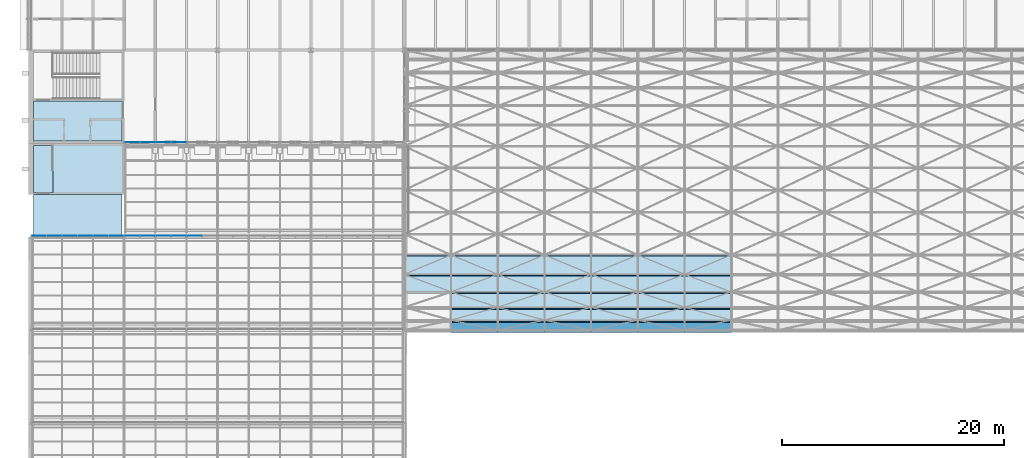
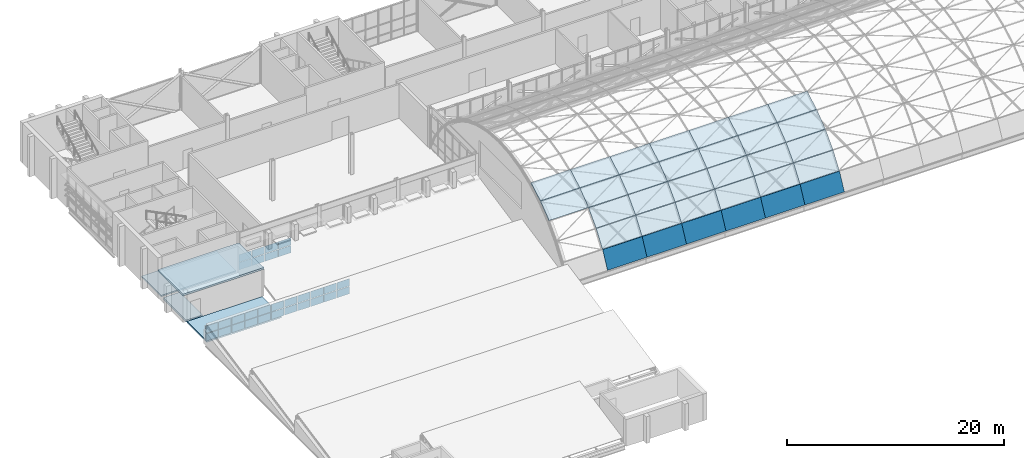
# One storey, part 70 of 121: 62 plates, 4 slabs, 2 elements without a shape of their own.
"""IFC4 building model written with IfcOpenShell, lengths in metres."""

from ifc_helpers import new_model, si_unit, direction, frame, origin, origin_2d, place, context, subcontext, project, spatial, polyline, rectangle, outline, extrude, material, layer, layer_set, type_object, element, aggregate, save


model = new_model("IFC4")

# Units and contexts
model_context = context("Model", 3, precision=1e-05, world=origin(), true_north=direction((0.0, 1.0)))
body_context = subcontext(model_context, "Body", "Model", "MODEL_VIEW")
ifc_project = project(units=[si_unit("LENGTHUNIT", "METRE"), si_unit("AREAUNIT", "SQUARE_METRE"), si_unit("VOLUMEUNIT", "CUBIC_METRE"), si_unit("PLANEANGLEUNIT", "RADIAN"), si_unit("MASSUNIT", "GRAM", prefix="KILO")], contexts=[model_context])

# Site, building, storey
site_placement = place(None, origin())
site = spatial("IfcSite", under=ifc_project, at=site_placement, CompositionType="ELEMENT")
building_placement = place(site_placement, origin())
building = spatial("IfcBuilding", under=site, at=building_placement, Name="Ardhachandra Cancer Care Centre", CompositionType="ELEMENT")
storey_placement = place(building_placement, frame((0.0, 0.0, 9.0)))
storey = spatial("IfcBuildingStorey", under=building, at=storey_placement, Name="L02", CompositionType="ELEMENT", Elevation=9.0)

# Slabs
ifc_material_1 = material(Name="Concrete M40", Category="concrete")
ifc_layer_1 = layer(ifc_material_1, 0.14990234375)
ifc_layer_set_1 = layer_set([ifc_layer_1], Name="Concrete M40")
slab_type_1 = type_object("IfcSlabType", Name="Core floor slab 150", PredefinedType="FLOOR", material=ifc_layer_set_1)
slab_1_placement = place(storey_placement, frame((0.0, 0.0, -0.14990234375)))
element("IfcSlab", 1, at=slab_1_placement, inside=storey, type_object=slab_type_1, Name="Core floor slab K6 L02 2", PredefinedType="FLOOR", context=body_context, shape_type="SweptSolid", body=[
    extrude(outline(polyline([(11.02490234375, 71.60009765625), (19.0, 71.60009765625), (19.0, 75.199951171875), (11.02490234375, 75.199951171875), (11.02490234375, 71.60009765625)])), origin(), (0.0, 0.0, 1.0), 0.14990234375),
])
ifc_material_2 = material(Name="Concrete M40", Category="concrete")
ifc_layer_2 = layer(ifc_material_2, 0.199951171875)
ifc_layer_set_2 = layer_set([ifc_layer_2], Name="Concrete M40")
slab_type_2 = type_object("IfcSlabType", Name="Core head-house floor slab 200", PredefinedType="FLOOR", material=ifc_layer_set_2)
slab_2_placement = place(storey_placement, frame((0.0, 0.0, -0.199951171875)))
element("IfcSlab", 2, at=slab_2_placement, inside=storey, type_object=slab_type_2, Name="Stair head-house floor slab K3 1", PredefinedType="FLOOR", context=body_context, shape_type="SweptSolid", body=[
    extrude(outline(polyline([(11.02490234375, 67.0), (12.800048828125, 67.0), (12.800048828125, 71.199951171875), (11.02490234375, 71.199951171875), (11.02490234375, 67.0)])), origin(), (0.0, 0.0, 1.0), 0.199951171875),
])
ifc_material_3 = material(Name="Concrete M40", Category="concrete")
ifc_layer_3 = layer(ifc_material_3, 0.199951171875)
ifc_layer_set_3 = layer_set([ifc_layer_3], Name="Concrete M40")
slab_type_3 = type_object("IfcSlabType", Name="Core roof slab 200", PredefinedType="ROOF", material=ifc_layer_set_3)
slab_3_placement = place(storey_placement, frame((0.0, 0.0, -0.199951171875)))
element("IfcSlab", 3, at=slab_3_placement, inside=storey, type_object=slab_type_3, Name="Core roof slab K3 2", PredefinedType="ROOF", context=body_context, shape_type="SweptSolid", body=[
    extrude(outline(polyline([(19.0, 63.199951171875), (19.0, 66.800048828125), (11.02490234375, 66.800048828125), (11.02490234375, 63.199951171875), (19.0, 63.199951171875)])), origin(), (0.0, 0.0, 1.0), 0.199951171875),
])

# Curtain wall, plates
ifc_material_4 = material(Name="Aluminium extrusion", Category="aluminium")
ifc_layer_4 = layer(ifc_material_4, 0.14990234375)
ifc_layer_set_4 = layer_set([ifc_layer_4], Name="Aluminium extrusion")
curtain_wall_type = type_object("IfcCurtainWallType", Name="Curtain wall run", PredefinedType="NOTDEFINED", material=ifc_layer_set_4)
curtain_wall_1_placement = place(storey_placement, origin())
curtain_wall_1 = element("IfcCurtainWall", 4, at=curtain_wall_1_placement, inside=storey, type_object=curtain_wall_type, Name="Curtain wall L02 n/0010800_0063100", PredefinedType="NOTDEFINED")
ifc_material_5 = material(Name="Low-iron double-glazed unit")
ifc_layer_5 = layer(ifc_material_5, 0.028076171875)
ifc_layer_set_5 = layer_set([ifc_layer_5], Name="Low-iron double-glazed unit")
plate_type_1 = type_object("IfcPlateType", Name="Curtain wall glazing 28", PredefinedType="CURTAIN_PANEL", material=ifc_layer_set_5)
plate_1_placement = place(storey_placement, frame((11.514892578125, 63.10009765625, 0.93994140625), z_axis=(0.0, 0.0, 1.0), x_axis=(1.0, 0.0, 0.0)))
plate_1 = element("IfcPlate", 5, at=plate_1_placement, type_object=plate_type_1, Name="CW panel 1.2", PredefinedType="CURTAIN_PANEL", context=body_context, shape_type="SweptSolid", body=[
    extrude(rectangle(XDim=1.31005859375, YDim=0.028076171875, at=origin_2d()), origin(), (0.0, 0.0, 1.0), 0.820068359375),
])
plate_2_placement = place(storey_placement, frame((12.89990234375, 63.10009765625, 0.93994140625), z_axis=(0.0, 0.0, 1.0), x_axis=(1.0, 0.0, 0.0)))
plate_2 = element("IfcPlate", 6, at=plate_2_placement, type_object=plate_type_1, Name="CW panel 2.2", PredefinedType="CURTAIN_PANEL", context=body_context, shape_type="SweptSolid", body=[
    extrude(rectangle(XDim=1.340087890625, YDim=0.028076171875, at=origin_2d()), origin(), (0.0, 0.0, 1.0), 0.820068359375),
])
plate_3_placement = place(storey_placement, frame((14.300048828125, 63.10009765625, 0.93994140625), z_axis=(0.0, 0.0, 1.0), x_axis=(1.0, 0.0, 0.0)))
plate_3 = element("IfcPlate", 7, at=plate_3_placement, type_object=plate_type_1, Name="CW panel 3.2", PredefinedType="CURTAIN_PANEL", context=body_context, shape_type="SweptSolid", body=[
    extrude(rectangle(XDim=1.340087890625, YDim=0.028076171875, at=origin_2d()), origin(), (0.0, 0.0, 1.0), 0.820068359375),
])
plate_4_placement = place(storey_placement, frame((15.699951171875, 63.10009765625, 0.93994140625), z_axis=(0.0, 0.0, 1.0), x_axis=(1.0, 0.0, 0.0)))
plate_4 = element("IfcPlate", 8, at=plate_4_placement, type_object=plate_type_1, Name="CW panel 4.2", PredefinedType="CURTAIN_PANEL", context=body_context, shape_type="SweptSolid", body=[
    extrude(rectangle(XDim=1.340087890625, YDim=0.028076171875, at=origin_2d()), origin(), (0.0, 0.0, 1.0), 0.820068359375),
])
plate_5_placement = place(storey_placement, frame((17.10009765625, 63.10009765625, 0.93994140625), z_axis=(0.0, 0.0, 1.0), x_axis=(1.0, 0.0, 0.0)))
plate_5 = element("IfcPlate", 9, at=plate_5_placement, type_object=plate_type_1, Name="CW panel 5.2", PredefinedType="CURTAIN_PANEL", context=body_context, shape_type="SweptSolid", body=[
    extrude(rectangle(XDim=1.340087890625, YDim=0.028076171875, at=origin_2d()), origin(), (0.0, 0.0, 1.0), 0.820068359375),
])
plate_6_placement = place(storey_placement, frame((18.5, 63.10009765625, 0.93994140625), z_axis=(0.0, 0.0, 1.0), x_axis=(1.0, 0.0, 0.0)))
plate_6 = element("IfcPlate", 10, at=plate_6_placement, type_object=plate_type_1, Name="CW panel 6.2", PredefinedType="CURTAIN_PANEL", context=body_context, shape_type="SweptSolid", body=[
    extrude(rectangle(XDim=1.340087890625, YDim=0.028076171875, at=origin_2d()), origin(), (0.0, 0.0, 1.0), 0.820068359375),
])
plate_7_placement = place(storey_placement, frame((19.89990234375, 63.10009765625, 0.93994140625), z_axis=(0.0, 0.0, 1.0), x_axis=(1.0, 0.0, 0.0)))
plate_7 = element("IfcPlate", 11, at=plate_7_placement, type_object=plate_type_1, Name="CW panel 7.2", PredefinedType="CURTAIN_PANEL", context=body_context, shape_type="SweptSolid", body=[
    extrude(rectangle(XDim=1.340087890625, YDim=0.028076171875, at=origin_2d()), origin(), (0.0, 0.0, 1.0), 0.820068359375),
])
plate_8_placement = place(storey_placement, frame((21.300048828125, 63.10009765625, 0.93994140625), z_axis=(0.0, 0.0, 1.0), x_axis=(1.0, 0.0, 0.0)))
plate_8 = element("IfcPlate", 12, at=plate_8_placement, type_object=plate_type_1, Name="CW panel 8.2", PredefinedType="CURTAIN_PANEL", context=body_context, shape_type="SweptSolid", body=[
    extrude(rectangle(XDim=1.340087890625, YDim=0.028076171875, at=origin_2d()), origin(), (0.0, 0.0, 1.0), 0.820068359375),
])
plate_9_placement = place(storey_placement, frame((22.699951171875, 63.10009765625, 0.93994140625), z_axis=(0.0, 0.0, 1.0), x_axis=(1.0, 0.0, 0.0)))
plate_9 = element("IfcPlate", 13, at=plate_9_placement, type_object=plate_type_1, Name="CW panel 9.2", PredefinedType="CURTAIN_PANEL", context=body_context, shape_type="SweptSolid", body=[
    extrude(rectangle(XDim=1.340087890625, YDim=0.028076171875, at=origin_2d()), origin(), (0.0, 0.0, 1.0), 0.820068359375),
])
plate_10_placement = place(storey_placement, frame((24.10009765625, 63.10009765625, 0.93994140625), z_axis=(0.0, 0.0, 1.0), x_axis=(1.0, 0.0, 0.0)))
plate_10 = element("IfcPlate", 14, at=plate_10_placement, type_object=plate_type_1, Name="CW panel 10.2", PredefinedType="CURTAIN_PANEL", context=body_context, shape_type="SweptSolid", body=[
    extrude(rectangle(XDim=1.340087890625, YDim=0.028076171875, at=origin_2d()), origin(), (0.0, 0.0, 1.0), 0.820068359375),
])
plate_11_placement = place(storey_placement, frame((25.5, 63.10009765625, 0.93994140625), z_axis=(0.0, 0.0, 1.0), x_axis=(1.0, 0.0, 0.0)))
plate_11 = element("IfcPlate", 15, at=plate_11_placement, type_object=plate_type_1, Name="CW panel 11.2", PredefinedType="CURTAIN_PANEL", context=body_context, shape_type="SweptSolid", body=[
    extrude(rectangle(XDim=1.340087890625, YDim=0.028076171875, at=origin_2d()), origin(), (0.0, 0.0, 1.0), 0.820068359375),
])

curtain_wall_2_placement = place(storey_placement, origin())
curtain_wall_2 = element("IfcCurtainWall", 16, at=curtain_wall_2_placement, inside=storey, type_object=curtain_wall_type, Name="Curtain wall L02 n/0019200_0071500", PredefinedType="NOTDEFINED")
plate_12_placement = place(storey_placement, frame((19.9150390625, 71.5, 0.93994140625), z_axis=(0.0, 0.0, 1.0), x_axis=(1.0, 0.0, 0.0)))
plate_12 = element("IfcPlate", 17, at=plate_12_placement, type_object=plate_type_1, Name="CW panel 1.2", PredefinedType="CURTAIN_PANEL", context=body_context, shape_type="SweptSolid", body=[
    extrude(rectangle(XDim=1.31005859375, YDim=0.028076171875, at=origin_2d()), origin(), (0.0, 0.0, 1.0), 0.820068359375),
])
plate_13_placement = place(storey_placement, frame((21.300048828125, 71.5, 0.93994140625), z_axis=(0.0, 0.0, 1.0), x_axis=(1.0, 0.0, 0.0)))
plate_13 = element("IfcPlate", 18, at=plate_13_placement, type_object=plate_type_1, Name="CW panel 2.2", PredefinedType="CURTAIN_PANEL", context=body_context, shape_type="SweptSolid", body=[
    extrude(rectangle(XDim=1.340087890625, YDim=0.028076171875, at=origin_2d()), origin(), (0.0, 0.0, 1.0), 0.820068359375),
])
plate_14_placement = place(storey_placement, frame((22.699951171875, 71.5, 0.93994140625), z_axis=(0.0, 0.0, 1.0), x_axis=(1.0, 0.0, 0.0)))
plate_14 = element("IfcPlate", 19, at=plate_14_placement, type_object=plate_type_1, Name="CW panel 3.2", PredefinedType="CURTAIN_PANEL", context=body_context, shape_type="SweptSolid", body=[
    extrude(rectangle(XDim=1.340087890625, YDim=0.028076171875, at=origin_2d()), origin(), (0.0, 0.0, 1.0), 0.820068359375),
])
plate_15_placement = place(storey_placement, frame((24.10009765625, 71.5, 0.93994140625), z_axis=(0.0, 0.0, 1.0), x_axis=(1.0, 0.0, 0.0)))
plate_15 = element("IfcPlate", 20, at=plate_15_placement, type_object=plate_type_1, Name="CW panel 4.2", PredefinedType="CURTAIN_PANEL", context=body_context, shape_type="SweptSolid", body=[
    extrude(rectangle(XDim=1.340087890625, YDim=0.028076171875, at=origin_2d()), origin(), (0.0, 0.0, 1.0), 0.820068359375),
])

# Plate
ifc_material_6 = material(Name="Aluminium composite spandrel panel", Category="aluminium")
ifc_layer_6 = layer(ifc_material_6, 0.028076171875)
ifc_layer_set_6 = layer_set([ifc_layer_6], Name="Aluminium composite spandrel panel")
plate_type_2 = type_object("IfcPlateType", Name="Curtain wall spandrel panel 28", PredefinedType="CURTAIN_PANEL", material=ifc_layer_set_6)
plate_16_placement = place(storey_placement, frame((11.514892578125, 63.10009765625, 0.06005859375), z_axis=(0.0, 0.0, 1.0), x_axis=(1.0, 0.0, 0.0)))
plate_16 = element("IfcPlate", 21, at=plate_16_placement, type_object=plate_type_2, Name="CW panel 1.1", PredefinedType="CURTAIN_PANEL", context=body_context, shape_type="SweptSolid", body=[
    extrude(rectangle(XDim=1.31005859375, YDim=0.028076171875, at=origin_2d()), origin(), (0.0, 0.0, 1.0), 0.820068359375),
])

plate_17_placement = place(storey_placement, frame((12.89990234375, 63.10009765625, 0.06005859375), z_axis=(0.0, 0.0, 1.0), x_axis=(1.0, 0.0, 0.0)))
plate_17 = element("IfcPlate", 22, at=plate_17_placement, type_object=plate_type_2, Name="CW panel 2.1", PredefinedType="CURTAIN_PANEL", context=body_context, shape_type="SweptSolid", body=[
    extrude(rectangle(XDim=1.340087890625, YDim=0.028076171875, at=origin_2d()), origin(), (0.0, 0.0, 1.0), 0.820068359375),
])

plate_18_placement = place(storey_placement, frame((14.300048828125, 63.10009765625, 0.06005859375), z_axis=(0.0, 0.0, 1.0), x_axis=(1.0, 0.0, 0.0)))
plate_18 = element("IfcPlate", 23, at=plate_18_placement, type_object=plate_type_2, Name="CW panel 3.1", PredefinedType="CURTAIN_PANEL", context=body_context, shape_type="SweptSolid", body=[
    extrude(rectangle(XDim=1.340087890625, YDim=0.028076171875, at=origin_2d()), origin(), (0.0, 0.0, 1.0), 0.820068359375),
])

plate_19_placement = place(storey_placement, frame((15.699951171875, 63.10009765625, 0.06005859375), z_axis=(0.0, 0.0, 1.0), x_axis=(1.0, 0.0, 0.0)))
plate_19 = element("IfcPlate", 24, at=plate_19_placement, type_object=plate_type_2, Name="CW panel 4.1", PredefinedType="CURTAIN_PANEL", context=body_context, shape_type="SweptSolid", body=[
    extrude(rectangle(XDim=1.340087890625, YDim=0.028076171875, at=origin_2d()), origin(), (0.0, 0.0, 1.0), 0.820068359375),
])

plate_20_placement = place(storey_placement, frame((17.10009765625, 63.10009765625, 0.06005859375), z_axis=(0.0, 0.0, 1.0), x_axis=(1.0, 0.0, 0.0)))
plate_20 = element("IfcPlate", 25, at=plate_20_placement, type_object=plate_type_2, Name="CW panel 5.1", PredefinedType="CURTAIN_PANEL", context=body_context, shape_type="SweptSolid", body=[
    extrude(rectangle(XDim=1.340087890625, YDim=0.028076171875, at=origin_2d()), origin(), (0.0, 0.0, 1.0), 0.820068359375),
])

plate_21_placement = place(storey_placement, frame((18.5, 63.10009765625, 0.06005859375), z_axis=(0.0, 0.0, 1.0), x_axis=(1.0, 0.0, 0.0)))
plate_21 = element("IfcPlate", 26, at=plate_21_placement, type_object=plate_type_2, Name="CW panel 6.1", PredefinedType="CURTAIN_PANEL", context=body_context, shape_type="SweptSolid", body=[
    extrude(rectangle(XDim=1.340087890625, YDim=0.028076171875, at=origin_2d()), origin(), (0.0, 0.0, 1.0), 0.820068359375),
])

plate_22_placement = place(storey_placement, frame((19.89990234375, 63.10009765625, 0.06005859375), z_axis=(0.0, 0.0, 1.0), x_axis=(1.0, 0.0, 0.0)))
plate_22 = element("IfcPlate", 27, at=plate_22_placement, type_object=plate_type_2, Name="CW panel 7.1", PredefinedType="CURTAIN_PANEL", context=body_context, shape_type="SweptSolid", body=[
    extrude(rectangle(XDim=1.340087890625, YDim=0.028076171875, at=origin_2d()), origin(), (0.0, 0.0, 1.0), 0.820068359375),
])

plate_23_placement = place(storey_placement, frame((21.300048828125, 63.10009765625, 0.06005859375), z_axis=(0.0, 0.0, 1.0), x_axis=(1.0, 0.0, 0.0)))
plate_23 = element("IfcPlate", 28, at=plate_23_placement, type_object=plate_type_2, Name="CW panel 8.1", PredefinedType="CURTAIN_PANEL", context=body_context, shape_type="SweptSolid", body=[
    extrude(rectangle(XDim=1.340087890625, YDim=0.028076171875, at=origin_2d()), origin(), (0.0, 0.0, 1.0), 0.820068359375),
])

plate_24_placement = place(storey_placement, frame((22.699951171875, 63.10009765625, 0.06005859375), z_axis=(0.0, 0.0, 1.0), x_axis=(1.0, 0.0, 0.0)))
plate_24 = element("IfcPlate", 29, at=plate_24_placement, type_object=plate_type_2, Name="CW panel 9.1", PredefinedType="CURTAIN_PANEL", context=body_context, shape_type="SweptSolid", body=[
    extrude(rectangle(XDim=1.340087890625, YDim=0.028076171875, at=origin_2d()), origin(), (0.0, 0.0, 1.0), 0.820068359375),
])

plate_25_placement = place(storey_placement, frame((24.10009765625, 63.10009765625, 0.06005859375), z_axis=(0.0, 0.0, 1.0), x_axis=(1.0, 0.0, 0.0)))
plate_25 = element("IfcPlate", 30, at=plate_25_placement, type_object=plate_type_2, Name="CW panel 10.1", PredefinedType="CURTAIN_PANEL", context=body_context, shape_type="SweptSolid", body=[
    extrude(rectangle(XDim=1.340087890625, YDim=0.028076171875, at=origin_2d()), origin(), (0.0, 0.0, 1.0), 0.820068359375),
])

plate_26_placement = place(storey_placement, frame((25.5, 63.10009765625, 0.06005859375), z_axis=(0.0, 0.0, 1.0), x_axis=(1.0, 0.0, 0.0)))
plate_26 = element("IfcPlate", 31, at=plate_26_placement, type_object=plate_type_2, Name="CW panel 11.1", PredefinedType="CURTAIN_PANEL", context=body_context, shape_type="SweptSolid", body=[
    extrude(rectangle(XDim=1.340087890625, YDim=0.028076171875, at=origin_2d()), origin(), (0.0, 0.0, 1.0), 0.820068359375),
])

aggregate(curtain_wall_1, [plate_16, plate_1, plate_17, plate_2, plate_18, plate_3, plate_19, plate_4, plate_20, plate_5, plate_21, plate_6, plate_22, plate_7, plate_23, plate_8, plate_24, plate_9, plate_25, plate_10, plate_26, plate_11])

plate_27_placement = place(storey_placement, frame((19.9150390625, 71.5, 0.06005859375), z_axis=(0.0, 0.0, 1.0), x_axis=(1.0, 0.0, 0.0)))
plate_27 = element("IfcPlate", 32, at=plate_27_placement, type_object=plate_type_2, Name="CW panel 1.1", PredefinedType="CURTAIN_PANEL", context=body_context, shape_type="SweptSolid", body=[
    extrude(rectangle(XDim=1.31005859375, YDim=0.028076171875, at=origin_2d()), origin(), (0.0, 0.0, 1.0), 0.820068359375),
])

plate_28_placement = place(storey_placement, frame((21.300048828125, 71.5, 0.06005859375), z_axis=(0.0, 0.0, 1.0), x_axis=(1.0, 0.0, 0.0)))
plate_28 = element("IfcPlate", 33, at=plate_28_placement, type_object=plate_type_2, Name="CW panel 2.1", PredefinedType="CURTAIN_PANEL", context=body_context, shape_type="SweptSolid", body=[
    extrude(rectangle(XDim=1.340087890625, YDim=0.028076171875, at=origin_2d()), origin(), (0.0, 0.0, 1.0), 0.820068359375),
])

plate_29_placement = place(storey_placement, frame((22.699951171875, 71.5, 0.06005859375), z_axis=(0.0, 0.0, 1.0), x_axis=(1.0, 0.0, 0.0)))
plate_29 = element("IfcPlate", 34, at=plate_29_placement, type_object=plate_type_2, Name="CW panel 3.1", PredefinedType="CURTAIN_PANEL", context=body_context, shape_type="SweptSolid", body=[
    extrude(rectangle(XDim=1.340087890625, YDim=0.028076171875, at=origin_2d()), origin(), (0.0, 0.0, 1.0), 0.820068359375),
])

plate_30_placement = place(storey_placement, frame((24.10009765625, 71.5, 0.06005859375), z_axis=(0.0, 0.0, 1.0), x_axis=(1.0, 0.0, 0.0)))
plate_30 = element("IfcPlate", 35, at=plate_30_placement, type_object=plate_type_2, Name="CW panel 4.1", PredefinedType="CURTAIN_PANEL", context=body_context, shape_type="SweptSolid", body=[
    extrude(rectangle(XDim=1.340087890625, YDim=0.028076171875, at=origin_2d()), origin(), (0.0, 0.0, 1.0), 0.820068359375),
])

aggregate(curtain_wall_2, [plate_27, plate_12, plate_28, plate_13, plate_29, plate_14, plate_30, plate_15])

# Plates
ifc_material_7 = material(Name="Insulated metal roof panel (galvalume skins, PIR core)")
ifc_layer_7 = layer(ifc_material_7, 0.10009765625)
ifc_layer_set_7 = layer_set([ifc_layer_7], Name="Insulated metal roof panel (galvalume skins, PIR core)")
plate_type_3 = type_object("IfcPlateType", Name="Gridshell insulated panel 100", PredefinedType="SHEET", material=ifc_layer_set_7)
plate_31_placement = place(storey_placement, frame((44.39990234375, 57.971435546875, 4.972412109375), z_axis=(0.0, -0.614303104879, 0.789070146017), x_axis=(1.0, 0.0, 0.0)))
element("IfcPlate", 36, at=plate_31_placement, inside=storey, type_object=plate_type_3, Name="Roof cell H 1.4", PredefinedType="SHEET", context=body_context, shape_type="SweptSolid", body=[
    extrude(outline(polyline([(0.0, 0.0), (4.2001953125, 0.0), (4.2001953125, 2.004638671875), (0.0, 2.004638671875), (0.0, 0.0)])), origin(), (0.0, 0.0, 1.0), 0.10009765625),
])
plate_32_placement = place(storey_placement, frame((44.39990234375, 59.568115234375, 6.2138671875), z_axis=(0.0, -0.492081331779, 0.870549230609), x_axis=(1.0, 0.0, 0.0)))
element("IfcPlate", 37, at=plate_32_placement, inside=storey, type_object=plate_type_3, Name="Roof cell H 1.5", PredefinedType="SHEET", context=body_context, shape_type="SweptSolid", body=[
    extrude(outline(polyline([(0.0, 0.0), (4.2001953125, 0.0), (4.2001953125, 2.0048828125), (0.0, 2.0048828125), (0.0, 0.0)])), origin(), (0.0, 0.0, 1.0), 0.10009765625),
])
plate_33_placement = place(storey_placement, frame((48.60009765625, 54.490966796875, 0.05517578125), z_axis=(0.0, -0.89234719469, 0.451349625156), x_axis=(1.0, 0.0, 0.0)))
element("IfcPlate", 38, at=plate_33_placement, inside=storey, type_object=plate_type_3, Name="Roof cell H 2.1", PredefinedType="SHEET", context=body_context, shape_type="SweptSolid", body=[
    extrude(outline(polyline([(0.0, 0.0), (4.199951171875, 0.0), (4.199951171875, 2.004638671875), (0.0, 2.004638671875), (0.0, 0.0)])), origin(), (0.0, 0.0, 1.0), 0.10009765625),
])
for number, where, z_axis, x_axis, name in (
    (39, (48.60009765625, 55.405029296875, 1.859375), (0.0, -0.816603227697, 0.577199418325), (1.0, 0.0, 0.0), "Roof cell H 2.2"),
    (40, (48.60009765625, 56.573486328125, 3.510498046875), (0.0, -0.723236652239, 0.690600278641), (1.0, 0.0, 0.0), "Roof cell H 2.3"),
):
    element("IfcPlate", number, at=place(storey_placement, frame(where, z_axis=z_axis, x_axis=x_axis)), inside=storey, type_object=plate_type_3, Name=name, PredefinedType="SHEET", context=body_context, shape_type="SweptSolid", body=[
        extrude(outline(polyline([(0.0, 0.0), (4.199951171875, 0.0), (4.199951171875, 2.0048828125), (0.0, 2.0048828125), (0.0, 0.0)])), origin(), (0.0, 0.0, 1.0), 0.10009765625),
    ])
plate_34_placement = place(storey_placement, frame((48.60009765625, 57.971435546875, 4.972412109375), z_axis=(0.0, -0.614303104879, 0.789070146017), x_axis=(1.0, 0.0, 0.0)))
element("IfcPlate", 41, at=plate_34_placement, inside=storey, type_object=plate_type_3, Name="Roof cell H 2.4", PredefinedType="SHEET", context=body_context, shape_type="SweptSolid", body=[
    extrude(outline(polyline([(0.0, 0.0), (4.199951171875, 0.0), (4.199951171875, 2.004638671875), (0.0, 2.004638671875), (0.0, 0.0)])), origin(), (0.0, 0.0, 1.0), 0.10009765625),
])
plate_35_placement = place(storey_placement, frame((48.60009765625, 59.568115234375, 6.2138671875), z_axis=(0.0, -0.492081331779, 0.870549230609), x_axis=(1.0, 0.0, 0.0)))
element("IfcPlate", 42, at=plate_35_placement, inside=storey, type_object=plate_type_3, Name="Roof cell H 2.5", PredefinedType="SHEET", context=body_context, shape_type="SweptSolid", body=[
    extrude(outline(polyline([(0.0, 0.0), (4.199951171875, 0.0), (4.199951171875, 2.0048828125), (0.0, 2.0048828125), (0.0, 0.0)])), origin(), (0.0, 0.0, 1.0), 0.10009765625),
])
plate_36_placement = place(storey_placement, frame((52.800048828125, 54.490966796875, 0.05517578125), z_axis=(0.0, -0.89234719469, 0.451349625156), x_axis=(1.0, 0.0, 0.0)))
element("IfcPlate", 43, at=plate_36_placement, inside=storey, type_object=plate_type_3, Name="Roof cell H 3.1", PredefinedType="SHEET", context=body_context, shape_type="SweptSolid", body=[
    extrude(outline(polyline([(0.0, 0.0), (4.199951171875, 0.0), (4.199951171875, 2.004638671875), (0.0, 2.004638671875), (0.0, 0.0)])), origin(), (0.0, 0.0, 1.0), 0.10009765625),
])
for number, where, z_axis, x_axis, name in (
    (44, (52.800048828125, 55.405029296875, 1.859375), (0.0, -0.816603227697, 0.577199418325), (1.0, 0.0, 0.0), "Roof cell H 3.2"),
    (45, (52.800048828125, 56.573486328125, 3.510498046875), (0.0, -0.723236652239, 0.690600278641), (1.0, 0.0, 0.0), "Roof cell H 3.3"),
):
    element("IfcPlate", number, at=place(storey_placement, frame(where, z_axis=z_axis, x_axis=x_axis)), inside=storey, type_object=plate_type_3, Name=name, PredefinedType="SHEET", context=body_context, shape_type="SweptSolid", body=[
        extrude(outline(polyline([(0.0, 0.0), (4.199951171875, 0.0), (4.199951171875, 2.0048828125), (0.0, 2.0048828125), (0.0, 0.0)])), origin(), (0.0, 0.0, 1.0), 0.10009765625),
    ])
plate_37_placement = place(storey_placement, frame((52.800048828125, 57.971435546875, 4.972412109375), z_axis=(0.0, -0.614303104879, 0.789070146017), x_axis=(1.0, 0.0, 0.0)))
element("IfcPlate", 46, at=plate_37_placement, inside=storey, type_object=plate_type_3, Name="Roof cell H 3.4", PredefinedType="SHEET", context=body_context, shape_type="SweptSolid", body=[
    extrude(outline(polyline([(0.0, 0.0), (4.199951171875, 0.0), (4.199951171875, 2.004638671875), (0.0, 2.004638671875), (0.0, 0.0)])), origin(), (0.0, 0.0, 1.0), 0.10009765625),
])
plate_38_placement = place(storey_placement, frame((52.800048828125, 59.568115234375, 6.2138671875), z_axis=(0.0, -0.492081331779, 0.870549230609), x_axis=(1.0, 0.0, 0.0)))
element("IfcPlate", 47, at=plate_38_placement, inside=storey, type_object=plate_type_3, Name="Roof cell H 3.5", PredefinedType="SHEET", context=body_context, shape_type="SweptSolid", body=[
    extrude(outline(polyline([(0.0, 0.0), (4.199951171875, 0.0), (4.199951171875, 2.0048828125), (0.0, 2.0048828125), (0.0, 0.0)])), origin(), (0.0, 0.0, 1.0), 0.10009765625),
])
plate_39_placement = place(storey_placement, frame((57.0, 54.490966796875, 0.05517578125), z_axis=(0.0, -0.89234719469, 0.451349625156), x_axis=(1.0, 0.0, 0.0)))
element("IfcPlate", 48, at=plate_39_placement, inside=storey, type_object=plate_type_3, Name="Roof cell H 4.1", PredefinedType="SHEET", context=body_context, shape_type="SweptSolid", body=[
    extrude(outline(polyline([(0.0, 0.0), (4.199951171875, 0.0), (4.199951171875, 2.004638671875), (0.0, 2.004638671875), (0.0, 0.0)])), origin(), (0.0, 0.0, 1.0), 0.10009765625),
])
for number, where, z_axis, x_axis, name in (
    (49, (57.0, 55.405029296875, 1.859375), (0.0, -0.816603227697, 0.577199418325), (1.0, 0.0, 0.0), "Roof cell H 4.2"),
    (50, (57.0, 56.573486328125, 3.510498046875), (0.0, -0.723236652239, 0.690600278641), (1.0, 0.0, 0.0), "Roof cell H 4.3"),
):
    element("IfcPlate", number, at=place(storey_placement, frame(where, z_axis=z_axis, x_axis=x_axis)), inside=storey, type_object=plate_type_3, Name=name, PredefinedType="SHEET", context=body_context, shape_type="SweptSolid", body=[
        extrude(outline(polyline([(0.0, 0.0), (4.199951171875, 0.0), (4.199951171875, 2.0048828125), (0.0, 2.0048828125), (0.0, 0.0)])), origin(), (0.0, 0.0, 1.0), 0.10009765625),
    ])
plate_40_placement = place(storey_placement, frame((57.0, 57.971435546875, 4.972412109375), z_axis=(0.0, -0.614303104879, 0.789070146017), x_axis=(1.0, 0.0, 0.0)))
element("IfcPlate", 51, at=plate_40_placement, inside=storey, type_object=plate_type_3, Name="Roof cell H 4.4", PredefinedType="SHEET", context=body_context, shape_type="SweptSolid", body=[
    extrude(outline(polyline([(0.0, 0.0), (4.199951171875, 0.0), (4.199951171875, 2.004638671875), (0.0, 2.004638671875), (0.0, 0.0)])), origin(), (0.0, 0.0, 1.0), 0.10009765625),
])
plate_41_placement = place(storey_placement, frame((57.0, 59.568115234375, 6.2138671875), z_axis=(0.0, -0.492081331779, 0.870549230609), x_axis=(1.0, 0.0, 0.0)))
element("IfcPlate", 52, at=plate_41_placement, inside=storey, type_object=plate_type_3, Name="Roof cell H 4.5", PredefinedType="SHEET", context=body_context, shape_type="SweptSolid", body=[
    extrude(outline(polyline([(0.0, 0.0), (4.199951171875, 0.0), (4.199951171875, 2.0048828125), (0.0, 2.0048828125), (0.0, 0.0)])), origin(), (0.0, 0.0, 1.0), 0.10009765625),
])
plate_42_placement = place(storey_placement, frame((61.199951171875, 54.490966796875, 0.05517578125), z_axis=(0.0, -0.89234719469, 0.451349625156), x_axis=(1.0, 0.0, 0.0)))
element("IfcPlate", 53, at=plate_42_placement, inside=storey, type_object=plate_type_3, Name="Roof cell H 5.1", PredefinedType="SHEET", context=body_context, shape_type="SweptSolid", body=[
    extrude(outline(polyline([(0.0, 0.0), (4.199951171875, 0.0), (4.199951171875, 2.004638671875), (0.0, 2.004638671875), (0.0, 0.0)])), origin(), (0.0, 0.0, 1.0), 0.10009765625),
])
for number, where, z_axis, x_axis, name in (
    (54, (61.199951171875, 55.405029296875, 1.859375), (0.0, -0.816603227697, 0.577199418325), (1.0, 0.0, 0.0), "Roof cell H 5.2"),
    (55, (61.199951171875, 56.573486328125, 3.510498046875), (0.0, -0.723236652239, 0.690600278641), (1.0, 0.0, 0.0), "Roof cell H 5.3"),
):
    element("IfcPlate", number, at=place(storey_placement, frame(where, z_axis=z_axis, x_axis=x_axis)), inside=storey, type_object=plate_type_3, Name=name, PredefinedType="SHEET", context=body_context, shape_type="SweptSolid", body=[
        extrude(outline(polyline([(0.0, 0.0), (4.199951171875, 0.0), (4.199951171875, 2.0048828125), (0.0, 2.0048828125), (0.0, 0.0)])), origin(), (0.0, 0.0, 1.0), 0.10009765625),
    ])
plate_43_placement = place(storey_placement, frame((61.199951171875, 57.971435546875, 4.972412109375), z_axis=(0.0, -0.614303104879, 0.789070146017), x_axis=(1.0, 0.0, 0.0)))
element("IfcPlate", 56, at=plate_43_placement, inside=storey, type_object=plate_type_3, Name="Roof cell H 5.4", PredefinedType="SHEET", context=body_context, shape_type="SweptSolid", body=[
    extrude(outline(polyline([(0.0, 0.0), (4.199951171875, 0.0), (4.199951171875, 2.004638671875), (0.0, 2.004638671875), (0.0, 0.0)])), origin(), (0.0, 0.0, 1.0), 0.10009765625),
])
plate_44_placement = place(storey_placement, frame((61.199951171875, 59.568115234375, 6.2138671875), z_axis=(0.0, -0.492081331779, 0.870549230609), x_axis=(1.0, 0.0, 0.0)))
element("IfcPlate", 57, at=plate_44_placement, inside=storey, type_object=plate_type_3, Name="Roof cell H 5.5", PredefinedType="SHEET", context=body_context, shape_type="SweptSolid", body=[
    extrude(outline(polyline([(0.0, 0.0), (4.199951171875, 0.0), (4.199951171875, 2.0048828125), (0.0, 2.0048828125), (0.0, 0.0)])), origin(), (0.0, 0.0, 1.0), 0.10009765625),
])
plate_45_placement = place(storey_placement, frame((65.39990234375, 54.490966796875, 0.05517578125), z_axis=(0.0, -0.89234719469, 0.451349625156), x_axis=(1.0, 0.0, 0.0)))
element("IfcPlate", 58, at=plate_45_placement, inside=storey, type_object=plate_type_3, Name="Roof cell H 6.1", PredefinedType="SHEET", context=body_context, shape_type="SweptSolid", body=[
    extrude(outline(polyline([(0.0, 0.0), (4.2001953125, 0.0), (4.2001953125, 2.004638671875), (0.0, 2.004638671875), (0.0, 0.0)])), origin(), (0.0, 0.0, 1.0), 0.10009765625),
])
for number, where, z_axis, x_axis, name in (
    (59, (65.39990234375, 55.405029296875, 1.859375), (0.0, -0.816603227697, 0.577199418325), (1.0, 0.0, 0.0), "Roof cell H 6.2"),
    (60, (65.39990234375, 56.573486328125, 3.510498046875), (0.0, -0.723236652239, 0.690600278641), (1.0, 0.0, 0.0), "Roof cell H 6.3"),
):
    element("IfcPlate", number, at=place(storey_placement, frame(where, z_axis=z_axis, x_axis=x_axis)), inside=storey, type_object=plate_type_3, Name=name, PredefinedType="SHEET", context=body_context, shape_type="SweptSolid", body=[
        extrude(outline(polyline([(0.0, 0.0), (4.2001953125, 0.0), (4.2001953125, 2.0048828125), (0.0, 2.0048828125), (0.0, 0.0)])), origin(), (0.0, 0.0, 1.0), 0.10009765625),
    ])
plate_46_placement = place(storey_placement, frame((65.39990234375, 57.971435546875, 4.972412109375), z_axis=(0.0, -0.614303104879, 0.789070146017), x_axis=(1.0, 0.0, 0.0)))
element("IfcPlate", 61, at=plate_46_placement, inside=storey, type_object=plate_type_3, Name="Roof cell H 6.4", PredefinedType="SHEET", context=body_context, shape_type="SweptSolid", body=[
    extrude(outline(polyline([(0.0, 0.0), (4.2001953125, 0.0), (4.2001953125, 2.004638671875), (0.0, 2.004638671875), (0.0, 0.0)])), origin(), (0.0, 0.0, 1.0), 0.10009765625),
])
plate_47_placement = place(storey_placement, frame((65.39990234375, 59.568115234375, 6.2138671875), z_axis=(0.0, -0.492081331779, 0.870549230609), x_axis=(1.0, 0.0, 0.0)))
element("IfcPlate", 62, at=plate_47_placement, inside=storey, type_object=plate_type_3, Name="Roof cell H 6.5", PredefinedType="SHEET", context=body_context, shape_type="SweptSolid", body=[
    extrude(outline(polyline([(0.0, 0.0), (4.2001953125, 0.0), (4.2001953125, 2.0048828125), (0.0, 2.0048828125), (0.0, 0.0)])), origin(), (0.0, 0.0, 1.0), 0.10009765625),
])
plate_48_placement = place(storey_placement, frame((69.60009765625, 54.490966796875, 0.05517578125), z_axis=(0.0, -0.89234719469, 0.451349625156), x_axis=(1.0, 0.0, 0.0)))
element("IfcPlate", 63, at=plate_48_placement, inside=storey, type_object=plate_type_3, Name="Roof cell H 7.1", PredefinedType="SHEET", context=body_context, shape_type="SweptSolid", body=[
    extrude(outline(polyline([(0.0, 0.0), (4.199951171875, 0.0), (4.199951171875, 2.004638671875), (0.0, 2.004638671875), (0.0, 0.0)])), origin(), (0.0, 0.0, 1.0), 0.10009765625),
])
for number, where, z_axis, x_axis, name in (
    (64, (69.60009765625, 55.405029296875, 1.859375), (0.0, -0.816603227697, 0.577199418325), (1.0, 0.0, 0.0), "Roof cell H 7.2"),
    (65, (69.60009765625, 56.573486328125, 3.510498046875), (0.0, -0.723236652239, 0.690600278641), (1.0, 0.0, 0.0), "Roof cell H 7.3"),
):
    element("IfcPlate", number, at=place(storey_placement, frame(where, z_axis=z_axis, x_axis=x_axis)), inside=storey, type_object=plate_type_3, Name=name, PredefinedType="SHEET", context=body_context, shape_type="SweptSolid", body=[
        extrude(outline(polyline([(0.0, 0.0), (4.199951171875, 0.0), (4.199951171875, 2.0048828125), (0.0, 2.0048828125), (0.0, 0.0)])), origin(), (0.0, 0.0, 1.0), 0.10009765625),
    ])
plate_49_placement = place(storey_placement, frame((69.60009765625, 57.971435546875, 4.972412109375), z_axis=(0.0, -0.614303104879, 0.789070146017), x_axis=(1.0, 0.0, 0.0)))
element("IfcPlate", 66, at=plate_49_placement, inside=storey, type_object=plate_type_3, Name="Roof cell H 7.4", PredefinedType="SHEET", context=body_context, shape_type="SweptSolid", body=[
    extrude(outline(polyline([(0.0, 0.0), (4.199951171875, 0.0), (4.199951171875, 2.004638671875), (0.0, 2.004638671875), (0.0, 0.0)])), origin(), (0.0, 0.0, 1.0), 0.10009765625),
])
plate_50_placement = place(storey_placement, frame((69.60009765625, 59.568115234375, 6.2138671875), z_axis=(0.0, -0.492081331779, 0.870549230609), x_axis=(1.0, 0.0, 0.0)))
element("IfcPlate", 67, at=plate_50_placement, inside=storey, type_object=plate_type_3, Name="Roof cell H 7.5", PredefinedType="SHEET", context=body_context, shape_type="SweptSolid", body=[
    extrude(outline(polyline([(0.0, 0.0), (4.199951171875, 0.0), (4.199951171875, 2.0048828125), (0.0, 2.0048828125), (0.0, 0.0)])), origin(), (0.0, 0.0, 1.0), 0.10009765625),
])

# Slab
ifc_material_8 = material(Name="Concrete M40", Category="concrete")
ifc_layer_8 = layer(ifc_material_8, 0.199951171875)
ifc_layer_set_8 = layer_set([ifc_layer_8], Name="Concrete M40")
slab_type_4 = type_object("IfcSlabType", Name="Head-house and overrun roof slab 200", PredefinedType="ROOF", material=ifc_layer_set_8)
slab_4_placement = place(storey_placement, frame((0.0, 0.0, 3.0)))
element("IfcSlab", 68, at=slab_4_placement, inside=storey, type_object=slab_type_4, Name="Stair head-house roof K3", PredefinedType="ROOF", context=body_context, shape_type="SweptSolid", body=[
    extrude(outline(polyline([(10.574951171875, 71.39990234375), (19.199951171875, 71.39990234375), (19.199951171875, 66.800048828125), (10.574951171875, 66.800048828125), (10.574951171875, 71.39990234375)])), origin(), (0.0, 0.0, 1.0), 0.199951171875),
])

save(model, "model.ifc")
